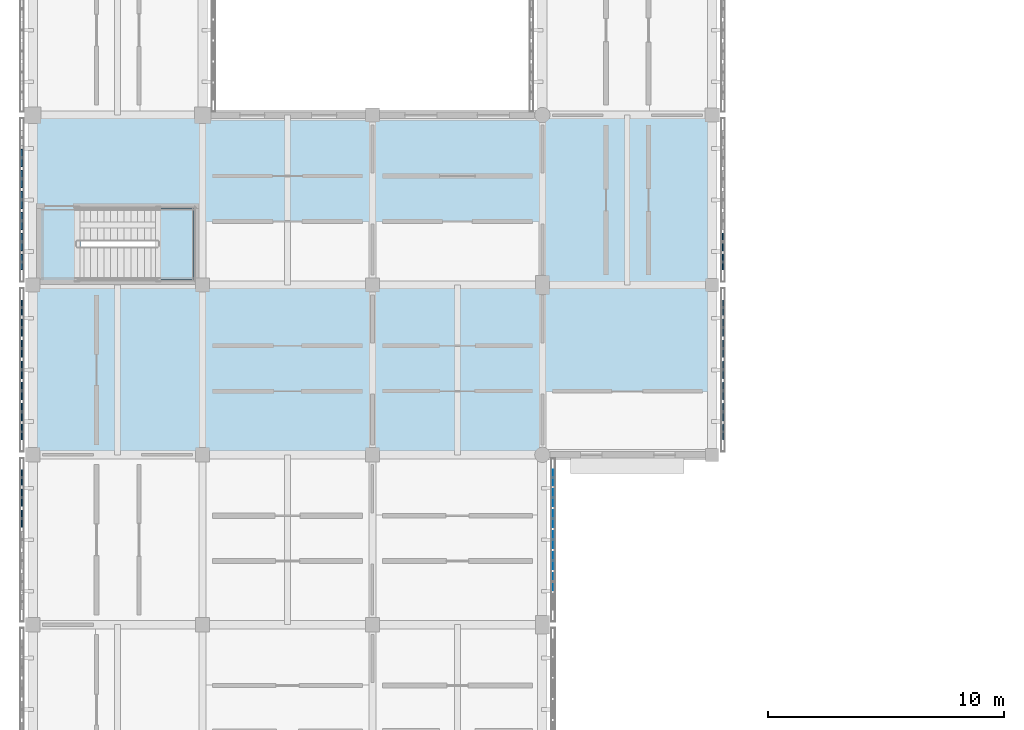
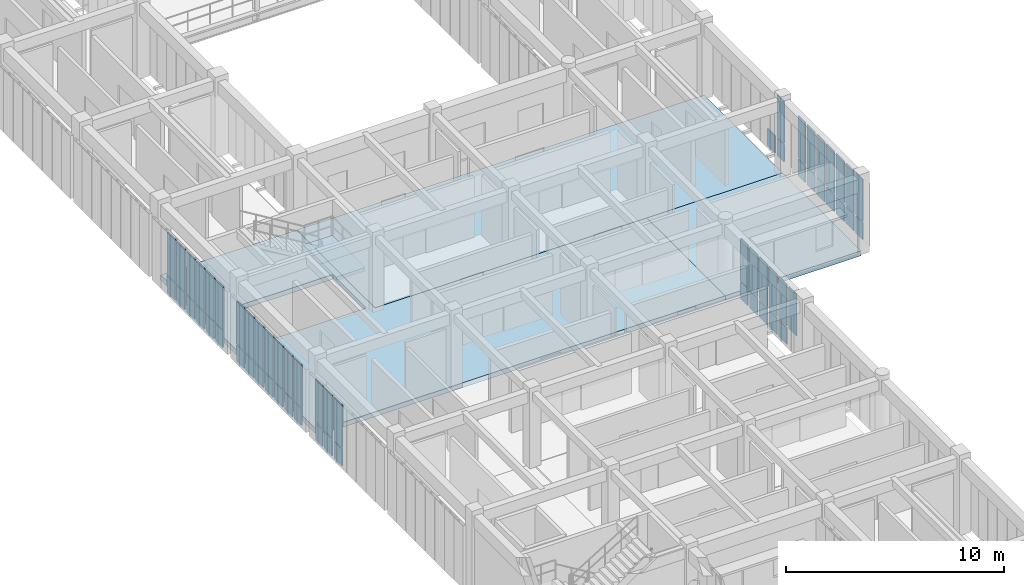
# One storey, part 96 of 171: 60 plates, 4 slabs, 7 elements without a shape of their own.
"""IFC4 building model written with IfcOpenShell, lengths in metres."""

import ifcopenshell
import ifcopenshell.guid

model = None  # the IFC model being written
_history = None  # IfcOwnerHistory: only IFC2X3 demands one
_inside = {}  # id of a spatial element -> (the spatial element, [elements in it])
_under = {}  # id of a project, library or spatial element -> (it, [spatial elements below it])
_declared = {}  # id of a project -> (the project, [libraries it declares])
_typed = {}  # id of a type object -> (the type object, [elements of that type])
_made_of = {}  # id of a material, layer set ... -> (it, [elements and type objects made of it])


def new_model(schema):
    """Start an empty IFC model of exactly this schema.

    Asked for "IFC4X3", IfcOpenShell would pick the latest addendum, in which some entities
    have other attributes; the version numbers below select the first issue.
    IFC2X3 requires an IfcOwnerHistory on every rooted entity: one is made here for all.
    """
    global model, _history
    if schema == "IFC4X3":
        model = ifcopenshell.file(schema_version=(4, 3, 0, 0))
    else:
        model = ifcopenshell.file(schema=schema)
    _inside.clear()
    _under.clear()
    _declared.clear()
    _typed.clear()
    _made_of.clear()
    _history = None
    if model.schema == "IFC2X3":
        org = make("IfcOrganization", Name="unknown")
        user = make(
            "IfcPersonAndOrganization",
            ThePerson=make("IfcPerson", FamilyName="unknown"),
            TheOrganization=org,
        )
        app = make(
            "IfcApplication",
            ApplicationDeveloper=org,
            Version="unknown",
            ApplicationFullName="unknown",
            ApplicationIdentifier="unknown",
        )
        _history = make(
            "IfcOwnerHistory",
            OwningUser=user,
            OwningApplication=app,
            ChangeAction="ADDED",
            CreationDate=0,
        )
    return model


def make(cls, **values):
    """One entity of the class cls with the attributes given. An attribute that is None is left unset."""
    return model.create_entity(
        cls, **{name: value for name, value in values.items() if value is not None}
    )


def rooted(cls, **values):
    """An entity with a GlobalId (a new one), such as an element, a storey or a relation."""
    return make(cls, GlobalId=ifcopenshell.guid.new(), OwnerHistory=_history, **values)


def si_unit(unit_type, name, prefix=None):
    """IfcSIUnit, for example si_unit("LENGTHUNIT", "METRE", prefix="MILLI")."""
    return make("IfcSIUnit", UnitType=unit_type, Prefix=prefix, Name=name)


def assignment(units):
    """IfcUnitAssignment: the units of a project."""
    return None if units is None else make("IfcUnitAssignment", Units=units)


def point(xyz):
    """IfcCartesianPoint."""
    return None if xyz is None else make("IfcCartesianPoint", Coordinates=xyz)


def direction(xyz):
    """IfcDirection."""
    return None if xyz is None else make("IfcDirection", DirectionRatios=xyz)


def frame(location, z_axis=None, x_axis=None):
    """IfcAxis2Placement3D, a coordinate frame: its origin and axes. An axis left out is left unset."""
    return make(
        "IfcAxis2Placement3D",
        Location=point(location),
        Axis=direction(z_axis),
        RefDirection=direction(x_axis),
    )


def frame_2d(location, x_axis=None):
    """IfcAxis2Placement2D, a coordinate frame in the plane: its origin and x axis."""
    return make(
        "IfcAxis2Placement2D", Location=point(location), RefDirection=direction(x_axis)
    )


def origin():
    """The frame at (0, 0, 0) with its axes left unset."""
    return frame((0.0, 0.0, 0.0))


def origin_2d():
    """The frame at (0, 0) in the plane with its x axis left unset."""
    return frame_2d((0.0, 0.0))


def place(relative_to, where):
    """IfcLocalPlacement: puts the frame where relative to a parent placement (None: the world)."""
    return make(
        "IfcLocalPlacement", PlacementRelTo=relative_to, RelativePlacement=where
    )


def context(
    kind, dimensions, precision=None, world=None, true_north=None, identifier=None
):
    """IfcGeometricRepresentationContext, for example the 3D "Model" context."""
    return make(
        "IfcGeometricRepresentationContext",
        ContextIdentifier=identifier,
        ContextType=kind,
        CoordinateSpaceDimension=dimensions,
        Precision=precision,
        WorldCoordinateSystem=world,
        TrueNorth=true_north,
    )


def subcontext(parent, identifier, kind, view, scale=None):
    """IfcGeometricRepresentationSubContext, for example "Body" below "Model"."""
    return make(
        "IfcGeometricRepresentationSubContext",
        ContextIdentifier=identifier,
        ContextType=kind,
        ParentContext=parent,
        TargetScale=scale,
        TargetView=view,
    )


def project(units=None, contexts=None):
    """IfcProject with its units and contexts."""
    return rooted(
        "IfcProject",
        Name="project",
        RepresentationContexts=contexts,
        UnitsInContext=assignment(units),
    )


def spatial(cls, under=None, at=None, **own):
    """A site, building, storey or space (cls), placed at a placement, below another one or the project."""
    s = rooted(cls, ObjectPlacement=at, **own)
    if under is not None:
        _under.setdefault(under.id(), (under, []))[1].append(s)
    return s


def polyline(points):
    """IfcPolyline through the points."""
    return make("IfcPolyline", Points=[point(p) for p in points])


def profile(cls, at=None, kind="AREA", **sizes):
    """A parametric profile (cls). Its sizes go by their IFC names, for example OverallWidth=200.0."""
    return make(cls, ProfileType=kind, Position=at, **sizes)


def rectangle(**sizes):
    """IfcRectangleProfileDef."""
    return profile("IfcRectangleProfileDef", **sizes)


def outline(outer, holes=None, kind="AREA"):
    """IfcArbitraryClosedProfileDef: a profile drawn as a closed curve; with holes, ...WithVoids."""
    if holes is None:
        return make("IfcArbitraryClosedProfileDef", ProfileType=kind, OuterCurve=outer)
    return make(
        "IfcArbitraryProfileDefWithVoids",
        ProfileType=kind,
        OuterCurve=outer,
        InnerCurves=holes,
    )


def extrude(swept, where, along, depth):
    """IfcExtrudedAreaSolid: the profile swept, set in the frame where, extruded along a direction by depth."""
    return make(
        "IfcExtrudedAreaSolid",
        SweptArea=swept,
        Position=where,
        ExtrudedDirection=direction(along),
        Depth=depth,
    )


def shape(context_of_items, identifier, shape_type, items):
    """IfcShapeRepresentation: the items that make up one representation, for example the "Body"."""
    return make(
        "IfcShapeRepresentation",
        ContextOfItems=context_of_items,
        RepresentationIdentifier=identifier,
        RepresentationType=shape_type,
        Items=items,
    )


def material(Name=None, Category=None):
    """IfcMaterial."""
    return make("IfcMaterial", Name=Name, Category=Category)


def layer(
    of_material, thickness, ventilated=None, Name=None, Category=None, Priority=None
):
    """IfcMaterialLayer: one layer of a wall or slab, of a material (None: an air gap)."""
    return make(
        "IfcMaterialLayer",
        Material=of_material,
        LayerThickness=thickness,
        IsVentilated=ventilated,
        Name=Name,
        Category=Category,
        Priority=Priority,
    )


def layer_set(layers, Name=None):
    """IfcMaterialLayerSet."""
    return make("IfcMaterialLayerSet", MaterialLayers=layers, LayerSetName=Name)


def made_of(thing, what):
    """Note that an element or type object is made of a material, layer set ...; save() writes the relation."""
    if what is not None:
        _made_of.setdefault(what.id(), (what, []))[1].append(thing)
    return thing


def type_object(cls, material=None, **own):
    """A type object (cls), such as IfcWallType, which elements share."""
    return made_of(rooted(cls, **own), material)


def element(
    cls,
    number,
    at=None,
    inside=None,
    cuts=None,
    type_object=None,
    material=None,
    context=None,
    identifier="Body",
    shape_type=None,
    held_by="IfcProductDefinitionShape",
    body=None,
    shapes=None,
    **own,
):
    """One element of the class cls, such as IfcWall. Its Tag is "e" and its number.

    at: its placement. inside: the storey or other place that contains it. cuts: it is an
    opening in that element (IfcRelVoidsElement). A single representation is given by context,
    identifier, shape_type and body (its items); several are given by shapes. held_by: the class
    of the entity that holds the representations. save() writes the other relations.
    """
    e = rooted(cls, Tag="e%d" % number, ObjectPlacement=at, **own)
    if body is not None:
        shapes = [shape(context, identifier, shape_type, body)]
    if shapes is not None:
        e.Representation = make(held_by, Representations=shapes)
    if inside is not None:
        _inside.setdefault(inside.id(), (inside, []))[1].append(e)
    if cuts is not None:
        rooted(
            "IfcRelVoidsElement", RelatingBuildingElement=cuts, RelatedOpeningElement=e
        )
    if type_object is not None:
        _typed.setdefault(type_object.id(), (type_object, []))[1].append(e)
    return made_of(e, material)


def aggregate(whole, parts):
    """IfcRelAggregates: a whole, such as a stair, and the parts it consists of."""
    return rooted("IfcRelAggregates", RelatingObject=whole, RelatedObjects=parts)


def save(model, path):
    """Write the relations noted so far, then the file.

    IfcRelAggregates (storeys below a building ...), IfcRelContainedInSpatialStructure (elements
    in a storey), IfcRelDefinesByType, IfcRelAssociatesMaterial and IfcRelDeclares: one each for
    every whole, place, type object, material and project.
    """
    for whole, parts in _under.values():
        aggregate(whole, parts)
    for where, things in _inside.values():
        rooted(
            "IfcRelContainedInSpatialStructure",
            RelatedElements=things,
            RelatingStructure=where,
        )
    for kind, things in _typed.values():
        rooted("IfcRelDefinesByType", RelatedObjects=things, RelatingType=kind)
    for what, things in _made_of.values():
        rooted("IfcRelAssociatesMaterial", RelatedObjects=things, RelatingMaterial=what)
    for by, libraries in _declared.values():
        rooted("IfcRelDeclares", RelatingContext=by, RelatedDefinitions=libraries)
    model.write(path)


model = new_model("IFC4")

# Units and contexts
model_context = context("Model", 3, precision=1e-05, world=origin(), true_north=direction((0.0, 1.0)))
body_context = subcontext(model_context, "Body", "Model", "MODEL_VIEW")
ifc_project = project(units=[si_unit("LENGTHUNIT", "METRE"), si_unit("AREAUNIT", "SQUARE_METRE"), si_unit("VOLUMEUNIT", "CUBIC_METRE"), si_unit("PLANEANGLEUNIT", "RADIAN"), si_unit("MASSUNIT", "GRAM", prefix="KILO")], contexts=[model_context])

# Site, building, storey
site_placement = place(None, origin())
site = spatial("IfcSite", under=ifc_project, at=site_placement, CompositionType="ELEMENT")
building_placement = place(site_placement, origin())
building = spatial("IfcBuilding", under=site, at=building_placement, Name="Aldebral Square Health Centre", CompositionType="ELEMENT")
storey_placement = place(building_placement, frame((0.0, 0.0, 4.5)))
storey = spatial("IfcBuildingStorey", under=building, at=storey_placement, Name="L01", CompositionType="ELEMENT", Elevation=4.5)

# Curtain wall, plates
ifc_material_1 = material(Name="Aluminium and low-E solar glass", Category="aluminium")
curtain_wall_type = type_object("IfcCurtainWallType", Name="CW-FIN-SYS", PredefinedType="USERDEFINED", material=ifc_material_1)
curtain_wall_1_placement = place(storey_placement, origin())
curtain_wall_1 = element("IfcCurtainWall", 1, at=curtain_wall_1_placement, inside=storey, type_object=curtain_wall_type, Name="L01 V6 finned curtain wall L01-V6-02-06-E", ObjectType="SOLAR_CURTAIN_WALL", PredefinedType="USERDEFINED")
ifc_material_2 = material(Name="Solar-control low-E double glass", Category="glass")
ifc_layer_1 = layer(ifc_material_2, 0.0400390625, Name="Solar-control low-E double glass", Category="glass")
ifc_layer_set_1 = layer_set([ifc_layer_1], Name="Solar-control low-E double glass")
plate_type_1 = type_object("IfcPlateType", Name="CWP-GLZ-3", PredefinedType="CURTAIN_PANEL", material=ifc_layer_set_1)
plate_1_placement = place(storey_placement, frame((22.06005859375, 45.01708984375, 1.087646484375), z_axis=(0.0, 0.0, 1.0), x_axis=(0.0, 1.0, 0.0)))
plate_1 = element("IfcPlate", 2, at=plate_1_placement, type_object=plate_type_1, Name="CW1 panel 2.2", PredefinedType="CURTAIN_PANEL", context=body_context, shape_type="SweptSolid", body=[
    extrude(rectangle(XDim=0.7314453125, YDim=0.0400390625, at=origin_2d()), origin(), (0.0, 0.0, 1.0), 2.357421875),
])
plate_2_placement = place(storey_placement, frame((22.06005859375, 45.90869140625, 0.074951171875), z_axis=(0.0, 0.0, 1.0), x_axis=(0.0, 1.0, 0.0)))
plate_2 = element("IfcPlate", 3, at=plate_2_placement, type_object=plate_type_1, Name="CW1 panel 3.1", PredefinedType="CURTAIN_PANEL", context=body_context, shape_type="SweptSolid", body=[
    extrude(rectangle(XDim=0.7314453125, YDim=0.0400390625, at=origin_2d()), origin(), (0.0, 0.0, 1.0), 0.9375),
])
plate_3_placement = place(storey_placement, frame((22.06005859375, 45.90869140625, 1.087646484375), z_axis=(0.0, 0.0, 1.0), x_axis=(0.0, 1.0, 0.0)))
plate_3 = element("IfcPlate", 4, at=plate_3_placement, type_object=plate_type_1, Name="CW1 panel 3.2", PredefinedType="CURTAIN_PANEL", context=body_context, shape_type="SweptSolid", body=[
    extrude(rectangle(XDim=0.7314453125, YDim=0.0400390625, at=origin_2d()), origin(), (0.0, 0.0, 1.0), 2.357421875),
])
plate_4_placement = place(storey_placement, frame((22.06005859375, 46.800048828125, 0.074951171875), z_axis=(0.0, 0.0, 1.0), x_axis=(0.0, 1.0, 0.0)))
plate_4 = element("IfcPlate", 5, at=plate_4_placement, type_object=plate_type_1, Name="CW1 panel 4.1", PredefinedType="CURTAIN_PANEL", context=body_context, shape_type="SweptSolid", body=[
    extrude(rectangle(XDim=0.7314453125, YDim=0.0400390625, at=origin_2d()), origin(), (0.0, 0.0, 1.0), 0.9375),
])
plate_5_placement = place(storey_placement, frame((22.06005859375, 46.800048828125, 1.087646484375), z_axis=(0.0, 0.0, 1.0), x_axis=(0.0, 1.0, 0.0)))
plate_5 = element("IfcPlate", 6, at=plate_5_placement, type_object=plate_type_1, Name="CW1 panel 4.2", PredefinedType="CURTAIN_PANEL", context=body_context, shape_type="SweptSolid", body=[
    extrude(rectangle(XDim=0.7314453125, YDim=0.0400390625, at=origin_2d()), origin(), (0.0, 0.0, 1.0), 2.357421875),
])
plate_6_placement = place(storey_placement, frame((22.06005859375, 47.69140625, 0.074951171875), z_axis=(0.0, 0.0, 1.0), x_axis=(0.0, 1.0, 0.0)))
plate_6 = element("IfcPlate", 7, at=plate_6_placement, type_object=plate_type_1, Name="CW1 panel 5.1", PredefinedType="CURTAIN_PANEL", context=body_context, shape_type="SweptSolid", body=[
    extrude(rectangle(XDim=0.7314453125, YDim=0.0400390625, at=origin_2d()), origin(), (0.0, 0.0, 1.0), 0.9375),
])
plate_7_placement = place(storey_placement, frame((22.06005859375, 47.69140625, 1.087646484375), z_axis=(0.0, 0.0, 1.0), x_axis=(0.0, 1.0, 0.0)))
plate_7 = element("IfcPlate", 8, at=plate_7_placement, type_object=plate_type_1, Name="CW1 panel 5.2", PredefinedType="CURTAIN_PANEL", context=body_context, shape_type="SweptSolid", body=[
    extrude(rectangle(XDim=0.7314453125, YDim=0.0400390625, at=origin_2d()), origin(), (0.0, 0.0, 1.0), 2.357421875),
])
plate_8_placement = place(storey_placement, frame((22.06005859375, 48.582763671875, 0.074951171875), z_axis=(0.0, 0.0, 1.0), x_axis=(0.0, 1.0, 0.0)))
plate_8 = element("IfcPlate", 9, at=plate_8_placement, type_object=plate_type_1, Name="CW1 panel 6.1", PredefinedType="CURTAIN_PANEL", context=body_context, shape_type="SweptSolid", body=[
    extrude(rectangle(XDim=0.7314453125, YDim=0.0400390625, at=origin_2d()), origin(), (0.0, 0.0, 1.0), 0.9375),
])
plate_9_placement = place(storey_placement, frame((22.06005859375, 48.582763671875, 1.087646484375), z_axis=(0.0, 0.0, 1.0), x_axis=(0.0, 1.0, 0.0)))
plate_9 = element("IfcPlate", 10, at=plate_9_placement, type_object=plate_type_1, Name="CW1 panel 6.2", PredefinedType="CURTAIN_PANEL", context=body_context, shape_type="SweptSolid", body=[
    extrude(rectangle(XDim=0.7314453125, YDim=0.0400390625, at=origin_2d()), origin(), (0.0, 0.0, 1.0), 2.357421875),
])
plate_10_placement = place(storey_placement, frame((22.06005859375, 49.434326171875, 0.074951171875), z_axis=(0.0, 0.0, 1.0), x_axis=(0.0, 1.0, 0.0)))
plate_10 = element("IfcPlate", 11, at=plate_10_placement, type_object=plate_type_1, Name="CW1 panel 7.1", PredefinedType="CURTAIN_PANEL", context=body_context, shape_type="SweptSolid", body=[
    extrude(rectangle(XDim=0.6513671875, YDim=0.0400390625, at=origin_2d()), origin(), (0.0, 0.0, 1.0), 0.9375),
])
plate_11_placement = place(storey_placement, frame((22.06005859375, 49.434326171875, 1.087646484375), z_axis=(0.0, 0.0, 1.0), x_axis=(0.0, 1.0, 0.0)))
plate_11 = element("IfcPlate", 12, at=plate_11_placement, type_object=plate_type_1, Name="CW1 panel 7.2", PredefinedType="CURTAIN_PANEL", context=body_context, shape_type="SweptSolid", body=[
    extrude(rectangle(XDim=0.6513671875, YDim=0.0400390625, at=origin_2d()), origin(), (0.0, 0.0, 1.0), 2.357421875),
])
aggregate(curtain_wall_1, [plate_1, plate_2, plate_3, plate_4, plate_5, plate_6, plate_7, plate_8, plate_9, plate_10, plate_11])

curtain_wall_2_placement = place(storey_placement, origin())
curtain_wall_2 = element("IfcCurtainWall", 13, at=curtain_wall_2_placement, inside=storey, type_object=curtain_wall_type, Name="L01 V4 finned curtain wall L01-V4-03-07-E", ObjectType="SOLAR_CURTAIN_WALL", PredefinedType="USERDEFINED")
ifc_layer_2 = layer(ifc_material_2, 0.050048828125, Name="Solar-control low-E double glass", Category="glass")
ifc_layer_set_2 = layer_set([ifc_layer_2], Name="Solar-control low-E double glass")
plate_type_2 = type_object("IfcPlateType", Name="CWP-GLZ-4", PredefinedType="CURTAIN_PANEL", material=ifc_layer_set_2)
plate_12_placement = place(storey_placement, frame((29.260009765625, 51.36572265625, 0.074951171875), z_axis=(0.0, 0.0, 1.0), x_axis=(0.0, 1.0, 0.0)))
plate_12 = element("IfcPlate", 14, at=plate_12_placement, type_object=plate_type_2, Name="CW1 panel 1.1", PredefinedType="CURTAIN_PANEL", context=body_context, shape_type="SweptSolid", body=[
    extrude(rectangle(XDim=0.6513671875, YDim=0.050048828125, at=origin_2d()), origin(), (0.0, 0.0, 1.0), 0.9375),
])
plate_13_placement = place(storey_placement, frame((29.260009765625, 51.36572265625, 1.087646484375), z_axis=(0.0, 0.0, 1.0), x_axis=(0.0, 1.0, 0.0)))
plate_13 = element("IfcPlate", 15, at=plate_13_placement, type_object=plate_type_2, Name="CW1 panel 1.2", PredefinedType="CURTAIN_PANEL", context=body_context, shape_type="SweptSolid", body=[
    extrude(rectangle(XDim=0.6513671875, YDim=0.050048828125, at=origin_2d()), origin(), (0.0, 0.0, 1.0), 2.357421875),
])
plate_14_placement = place(storey_placement, frame((29.260009765625, 52.217041015625, 0.074951171875), z_axis=(0.0, 0.0, 1.0), x_axis=(0.0, 1.0, 0.0)))
plate_14 = element("IfcPlate", 16, at=plate_14_placement, type_object=plate_type_2, Name="CW1 panel 2.1", PredefinedType="CURTAIN_PANEL", context=body_context, shape_type="SweptSolid", body=[
    extrude(rectangle(XDim=0.7314453125, YDim=0.050048828125, at=origin_2d()), origin(), (0.0, 0.0, 1.0), 0.9375),
])
plate_15_placement = place(storey_placement, frame((29.260009765625, 52.217041015625, 1.087646484375), z_axis=(0.0, 0.0, 1.0), x_axis=(0.0, 1.0, 0.0)))
plate_15 = element("IfcPlate", 17, at=plate_15_placement, type_object=plate_type_2, Name="CW1 panel 2.2", PredefinedType="CURTAIN_PANEL", context=body_context, shape_type="SweptSolid", body=[
    extrude(rectangle(XDim=0.7314453125, YDim=0.050048828125, at=origin_2d()), origin(), (0.0, 0.0, 1.0), 2.357421875),
])
plate_16_placement = place(storey_placement, frame((29.260009765625, 53.108642578125, 0.074951171875), z_axis=(0.0, 0.0, 1.0), x_axis=(0.0, 1.0, 0.0)))
plate_16 = element("IfcPlate", 18, at=plate_16_placement, type_object=plate_type_2, Name="CW1 panel 3.1", PredefinedType="CURTAIN_PANEL", context=body_context, shape_type="SweptSolid", body=[
    extrude(rectangle(XDim=0.7314453125, YDim=0.050048828125, at=origin_2d()), origin(), (0.0, 0.0, 1.0), 0.9375),
])
plate_17_placement = place(storey_placement, frame((29.260009765625, 53.108642578125, 1.087646484375), z_axis=(0.0, 0.0, 1.0), x_axis=(0.0, 1.0, 0.0)))
plate_17 = element("IfcPlate", 19, at=plate_17_placement, type_object=plate_type_2, Name="CW1 panel 3.2", PredefinedType="CURTAIN_PANEL", context=body_context, shape_type="SweptSolid", body=[
    extrude(rectangle(XDim=0.7314453125, YDim=0.050048828125, at=origin_2d()), origin(), (0.0, 0.0, 1.0), 2.357421875),
])
plate_18_placement = place(storey_placement, frame((29.260009765625, 54.0, 0.074951171875), z_axis=(0.0, 0.0, 1.0), x_axis=(0.0, 1.0, 0.0)))
plate_18 = element("IfcPlate", 20, at=plate_18_placement, type_object=plate_type_2, Name="CW1 panel 4.1", PredefinedType="CURTAIN_PANEL", context=body_context, shape_type="SweptSolid", body=[
    extrude(rectangle(XDim=0.7314453125, YDim=0.050048828125, at=origin_2d()), origin(), (0.0, 0.0, 1.0), 0.9375),
])
plate_19_placement = place(storey_placement, frame((29.260009765625, 54.0, 1.087646484375), z_axis=(0.0, 0.0, 1.0), x_axis=(0.0, 1.0, 0.0)))
plate_19 = element("IfcPlate", 21, at=plate_19_placement, type_object=plate_type_2, Name="CW1 panel 4.2", PredefinedType="CURTAIN_PANEL", context=body_context, shape_type="SweptSolid", body=[
    extrude(rectangle(XDim=0.7314453125, YDim=0.050048828125, at=origin_2d()), origin(), (0.0, 0.0, 1.0), 2.357421875),
])
plate_20_placement = place(storey_placement, frame((29.260009765625, 54.891357421875, 0.074951171875), z_axis=(0.0, 0.0, 1.0), x_axis=(0.0, 1.0, 0.0)))
plate_20 = element("IfcPlate", 22, at=plate_20_placement, type_object=plate_type_2, Name="CW1 panel 5.1", PredefinedType="CURTAIN_PANEL", context=body_context, shape_type="SweptSolid", body=[
    extrude(rectangle(XDim=0.7314453125, YDim=0.050048828125, at=origin_2d()), origin(), (0.0, 0.0, 1.0), 0.9375),
])
plate_21_placement = place(storey_placement, frame((29.260009765625, 54.891357421875, 1.087646484375), z_axis=(0.0, 0.0, 1.0), x_axis=(0.0, 1.0, 0.0)))
plate_21 = element("IfcPlate", 23, at=plate_21_placement, type_object=plate_type_2, Name="CW1 panel 5.2", PredefinedType="CURTAIN_PANEL", context=body_context, shape_type="SweptSolid", body=[
    extrude(rectangle(XDim=0.7314453125, YDim=0.050048828125, at=origin_2d()), origin(), (0.0, 0.0, 1.0), 2.357421875),
])
plate_22_placement = place(storey_placement, frame((29.260009765625, 55.782958984375, 0.074951171875), z_axis=(0.0, 0.0, 1.0), x_axis=(0.0, 1.0, 0.0)))
plate_22 = element("IfcPlate", 24, at=plate_22_placement, type_object=plate_type_2, Name="CW1 panel 6.1", PredefinedType="CURTAIN_PANEL", context=body_context, shape_type="SweptSolid", body=[
    extrude(rectangle(XDim=0.7314453125, YDim=0.050048828125, at=origin_2d()), origin(), (0.0, 0.0, 1.0), 0.9375),
])
plate_23_placement = place(storey_placement, frame((29.260009765625, 55.782958984375, 1.087646484375), z_axis=(0.0, 0.0, 1.0), x_axis=(0.0, 1.0, 0.0)))
plate_23 = element("IfcPlate", 25, at=plate_23_placement, type_object=plate_type_2, Name="CW1 panel 6.2", PredefinedType="CURTAIN_PANEL", context=body_context, shape_type="SweptSolid", body=[
    extrude(rectangle(XDim=0.7314453125, YDim=0.050048828125, at=origin_2d()), origin(), (0.0, 0.0, 1.0), 2.357421875),
])
plate_24_placement = place(storey_placement, frame((29.260009765625, 56.63427734375, 0.074951171875), z_axis=(0.0, 0.0, 1.0), x_axis=(0.0, 1.0, 0.0)))
plate_24 = element("IfcPlate", 26, at=plate_24_placement, type_object=plate_type_2, Name="CW1 panel 7.1", PredefinedType="CURTAIN_PANEL", context=body_context, shape_type="SweptSolid", body=[
    extrude(rectangle(XDim=0.6513671875, YDim=0.050048828125, at=origin_2d()), origin(), (0.0, 0.0, 1.0), 0.9375),
])
plate_25_placement = place(storey_placement, frame((29.260009765625, 56.63427734375, 1.087646484375), z_axis=(0.0, 0.0, 1.0), x_axis=(0.0, 1.0, 0.0)))
plate_25 = element("IfcPlate", 27, at=plate_25_placement, type_object=plate_type_2, Name="CW1 panel 7.2", PredefinedType="CURTAIN_PANEL", context=body_context, shape_type="SweptSolid", body=[
    extrude(rectangle(XDim=0.6513671875, YDim=0.050048828125, at=origin_2d()), origin(), (0.0, 0.0, 1.0), 2.357421875),
])
aggregate(curtain_wall_2, [plate_12, plate_13, plate_14, plate_15, plate_16, plate_17, plate_18, plate_19, plate_20, plate_21, plate_22, plate_23, plate_24, plate_25])

curtain_wall_3_placement = place(storey_placement, origin())
curtain_wall_3 = element("IfcCurtainWall", 28, at=curtain_wall_3_placement, inside=storey, type_object=curtain_wall_type, Name="L01 V6 finned curtain wall L01-V6-00-06-W", ObjectType="SOLAR_CURTAIN_WALL", PredefinedType="USERDEFINED")
ifc_layer_3 = layer(ifc_material_2, 0.06005859375, Name="Solar-control low-E double glass", Category="glass")
ifc_layer_set_3 = layer_set([ifc_layer_3], Name="Solar-control low-E double glass")
plate_type_3 = type_object("IfcPlateType", Name="CWP-GLZ-5", PredefinedType="CURTAIN_PANEL", material=ifc_layer_set_3)
plate_26_placement = place(storey_placement, frame((-0.4599609375, 49.434326171875, 0.074951171875), z_axis=(0.0, 0.0, 1.0), x_axis=(0.0, -1.0, 0.0)))
plate_26 = element("IfcPlate", 29, at=plate_26_placement, type_object=plate_type_3, Name="CW1 panel 1.1", PredefinedType="CURTAIN_PANEL", context=body_context, shape_type="SweptSolid", body=[
    extrude(rectangle(XDim=0.6513671875, YDim=0.06005859375, at=origin_2d()), origin(), (0.0, 0.0, 1.0), 0.9375),
])
plate_27_placement = place(storey_placement, frame((-0.4599609375, 49.434326171875, 1.087646484375), z_axis=(0.0, 0.0, 1.0), x_axis=(0.0, -1.0, 0.0)))
plate_27 = element("IfcPlate", 30, at=plate_27_placement, type_object=plate_type_3, Name="CW1 panel 1.2", PredefinedType="CURTAIN_PANEL", context=body_context, shape_type="SweptSolid", body=[
    extrude(rectangle(XDim=0.6513671875, YDim=0.06005859375, at=origin_2d()), origin(), (0.0, 0.0, 1.0), 2.357421875),
])
plate_28_placement = place(storey_placement, frame((-0.4599609375, 48.582763671875, 0.074951171875), z_axis=(0.0, 0.0, 1.0), x_axis=(0.0, -1.0, 0.0)))
plate_28 = element("IfcPlate", 31, at=plate_28_placement, type_object=plate_type_3, Name="CW1 panel 2.1", PredefinedType="CURTAIN_PANEL", context=body_context, shape_type="SweptSolid", body=[
    extrude(rectangle(XDim=0.7314453125, YDim=0.06005859375, at=origin_2d()), origin(), (0.0, 0.0, 1.0), 0.9375),
])
plate_29_placement = place(storey_placement, frame((-0.4599609375, 48.582763671875, 1.087646484375), z_axis=(0.0, 0.0, 1.0), x_axis=(0.0, -1.0, 0.0)))
plate_29 = element("IfcPlate", 32, at=plate_29_placement, type_object=plate_type_3, Name="CW1 panel 2.2", PredefinedType="CURTAIN_PANEL", context=body_context, shape_type="SweptSolid", body=[
    extrude(rectangle(XDim=0.7314453125, YDim=0.06005859375, at=origin_2d()), origin(), (0.0, 0.0, 1.0), 2.357421875),
])
plate_30_placement = place(storey_placement, frame((-0.4599609375, 47.69140625, 0.074951171875), z_axis=(0.0, 0.0, 1.0), x_axis=(0.0, -1.0, 0.0)))
plate_30 = element("IfcPlate", 33, at=plate_30_placement, type_object=plate_type_3, Name="CW1 panel 3.1", PredefinedType="CURTAIN_PANEL", context=body_context, shape_type="SweptSolid", body=[
    extrude(rectangle(XDim=0.7314453125, YDim=0.06005859375, at=origin_2d()), origin(), (0.0, 0.0, 1.0), 0.9375),
])
plate_31_placement = place(storey_placement, frame((-0.4599609375, 47.69140625, 1.087646484375), z_axis=(0.0, 0.0, 1.0), x_axis=(0.0, -1.0, 0.0)))
plate_31 = element("IfcPlate", 34, at=plate_31_placement, type_object=plate_type_3, Name="CW1 panel 3.2", PredefinedType="CURTAIN_PANEL", context=body_context, shape_type="SweptSolid", body=[
    extrude(rectangle(XDim=0.7314453125, YDim=0.06005859375, at=origin_2d()), origin(), (0.0, 0.0, 1.0), 2.357421875),
])
aggregate(curtain_wall_3, [plate_26, plate_27, plate_28, plate_29, plate_30, plate_31])

curtain_wall_4_placement = place(storey_placement, origin())
curtain_wall_4 = element("IfcCurtainWall", 35, at=curtain_wall_4_placement, inside=storey, type_object=curtain_wall_type, Name="L01 V4 finned curtain wall L01-V4-03-08-E", ObjectType="SOLAR_CURTAIN_WALL", PredefinedType="USERDEFINED")
plate_32_placement = place(storey_placement, frame((29.260009765625, 58.565673828125, 0.074951171875), z_axis=(0.0, 0.0, 1.0), x_axis=(0.0, 1.0, 0.0)))
plate_32 = element("IfcPlate", 36, at=plate_32_placement, type_object=plate_type_3, Name="CW1 panel 1.1", PredefinedType="CURTAIN_PANEL", context=body_context, shape_type="SweptSolid", body=[
    extrude(rectangle(XDim=0.6513671875, YDim=0.06005859375, at=origin_2d()), origin(), (0.0, 0.0, 1.0), 0.9375),
])
plate_33_placement = place(storey_placement, frame((29.260009765625, 58.565673828125, 1.087646484375), z_axis=(0.0, 0.0, 1.0), x_axis=(0.0, 1.0, 0.0)))
plate_33 = element("IfcPlate", 37, at=plate_33_placement, type_object=plate_type_3, Name="CW1 panel 1.2", PredefinedType="CURTAIN_PANEL", context=body_context, shape_type="SweptSolid", body=[
    extrude(rectangle(XDim=0.6513671875, YDim=0.06005859375, at=origin_2d()), origin(), (0.0, 0.0, 1.0), 2.357421875),
])
plate_34_placement = place(storey_placement, frame((29.260009765625, 59.417236328125, 0.074951171875), z_axis=(0.0, 0.0, 1.0), x_axis=(0.0, 1.0, 0.0)))
plate_34 = element("IfcPlate", 38, at=plate_34_placement, type_object=plate_type_3, Name="CW1 panel 2.1", PredefinedType="CURTAIN_PANEL", context=body_context, shape_type="SweptSolid", body=[
    extrude(rectangle(XDim=0.7314453125, YDim=0.06005859375, at=origin_2d()), origin(), (0.0, 0.0, 1.0), 0.9375),
])
aggregate(curtain_wall_4, [plate_32, plate_33, plate_34])

curtain_wall_5_placement = place(storey_placement, origin())
curtain_wall_5 = element("IfcCurtainWall", 39, at=curtain_wall_5_placement, inside=storey, type_object=curtain_wall_type, Name="L01 V4 finned curtain wall L01-V4-00-07-W", ObjectType="SOLAR_CURTAIN_WALL", PredefinedType="USERDEFINED")
ifc_layer_4 = layer(ifc_material_2, 0.070068359375, Name="Solar-control low-E double glass", Category="glass")
ifc_layer_set_4 = layer_set([ifc_layer_4], Name="Solar-control low-E double glass")
plate_type_4 = type_object("IfcPlateType", Name="CWP-GLZ-6", PredefinedType="CURTAIN_PANEL", material=ifc_layer_set_4)
plate_35_placement = place(storey_placement, frame((-0.4599609375, 56.63427734375, 0.074951171875), z_axis=(0.0, 0.0, 1.0), x_axis=(0.0, -1.0, 0.0)))
plate_35 = element("IfcPlate", 40, at=plate_35_placement, type_object=plate_type_4, Name="CW1 panel 1.1", PredefinedType="CURTAIN_PANEL", context=body_context, shape_type="SweptSolid", body=[
    extrude(rectangle(XDim=0.6513671875, YDim=0.070068359375, at=origin_2d()), origin(), (0.0, 0.0, 1.0), 0.9375),
])
plate_36_placement = place(storey_placement, frame((-0.4599609375, 56.63427734375, 1.087646484375), z_axis=(0.0, 0.0, 1.0), x_axis=(0.0, -1.0, 0.0)))
plate_36 = element("IfcPlate", 41, at=plate_36_placement, type_object=plate_type_4, Name="CW1 panel 1.2", PredefinedType="CURTAIN_PANEL", context=body_context, shape_type="SweptSolid", body=[
    extrude(rectangle(XDim=0.6513671875, YDim=0.070068359375, at=origin_2d()), origin(), (0.0, 0.0, 1.0), 2.357421875),
])
plate_37_placement = place(storey_placement, frame((-0.4599609375, 55.782958984375, 0.074951171875), z_axis=(0.0, 0.0, 1.0), x_axis=(0.0, -1.0, 0.0)))
plate_37 = element("IfcPlate", 42, at=plate_37_placement, type_object=plate_type_4, Name="CW1 panel 2.1", PredefinedType="CURTAIN_PANEL", context=body_context, shape_type="SweptSolid", body=[
    extrude(rectangle(XDim=0.7314453125, YDim=0.070068359375, at=origin_2d()), origin(), (0.0, 0.0, 1.0), 0.9375),
])
plate_38_placement = place(storey_placement, frame((-0.4599609375, 55.782958984375, 1.087646484375), z_axis=(0.0, 0.0, 1.0), x_axis=(0.0, -1.0, 0.0)))
plate_38 = element("IfcPlate", 43, at=plate_38_placement, type_object=plate_type_4, Name="CW1 panel 2.2", PredefinedType="CURTAIN_PANEL", context=body_context, shape_type="SweptSolid", body=[
    extrude(rectangle(XDim=0.7314453125, YDim=0.070068359375, at=origin_2d()), origin(), (0.0, 0.0, 1.0), 2.357421875),
])
plate_39_placement = place(storey_placement, frame((-0.4599609375, 54.891357421875, 0.074951171875), z_axis=(0.0, 0.0, 1.0), x_axis=(0.0, -1.0, 0.0)))
plate_39 = element("IfcPlate", 44, at=plate_39_placement, type_object=plate_type_4, Name="CW1 panel 3.1", PredefinedType="CURTAIN_PANEL", context=body_context, shape_type="SweptSolid", body=[
    extrude(rectangle(XDim=0.7314453125, YDim=0.070068359375, at=origin_2d()), origin(), (0.0, 0.0, 1.0), 0.9375),
])
plate_40_placement = place(storey_placement, frame((-0.4599609375, 54.891357421875, 1.087646484375), z_axis=(0.0, 0.0, 1.0), x_axis=(0.0, -1.0, 0.0)))
plate_40 = element("IfcPlate", 45, at=plate_40_placement, type_object=plate_type_4, Name="CW1 panel 3.2", PredefinedType="CURTAIN_PANEL", context=body_context, shape_type="SweptSolid", body=[
    extrude(rectangle(XDim=0.7314453125, YDim=0.070068359375, at=origin_2d()), origin(), (0.0, 0.0, 1.0), 2.357421875),
])
plate_41_placement = place(storey_placement, frame((-0.4599609375, 54.0, 0.074951171875), z_axis=(0.0, 0.0, 1.0), x_axis=(0.0, -1.0, 0.0)))
plate_41 = element("IfcPlate", 46, at=plate_41_placement, type_object=plate_type_4, Name="CW1 panel 4.1", PredefinedType="CURTAIN_PANEL", context=body_context, shape_type="SweptSolid", body=[
    extrude(rectangle(XDim=0.7314453125, YDim=0.070068359375, at=origin_2d()), origin(), (0.0, 0.0, 1.0), 0.9375),
])
plate_42_placement = place(storey_placement, frame((-0.4599609375, 54.0, 1.087646484375), z_axis=(0.0, 0.0, 1.0), x_axis=(0.0, -1.0, 0.0)))
plate_42 = element("IfcPlate", 47, at=plate_42_placement, type_object=plate_type_4, Name="CW1 panel 4.2", PredefinedType="CURTAIN_PANEL", context=body_context, shape_type="SweptSolid", body=[
    extrude(rectangle(XDim=0.7314453125, YDim=0.070068359375, at=origin_2d()), origin(), (0.0, 0.0, 1.0), 2.357421875),
])
plate_43_placement = place(storey_placement, frame((-0.4599609375, 53.108642578125, 0.074951171875), z_axis=(0.0, 0.0, 1.0), x_axis=(0.0, -1.0, 0.0)))
plate_43 = element("IfcPlate", 48, at=plate_43_placement, type_object=plate_type_4, Name="CW1 panel 5.1", PredefinedType="CURTAIN_PANEL", context=body_context, shape_type="SweptSolid", body=[
    extrude(rectangle(XDim=0.7314453125, YDim=0.070068359375, at=origin_2d()), origin(), (0.0, 0.0, 1.0), 0.9375),
])
plate_44_placement = place(storey_placement, frame((-0.4599609375, 53.108642578125, 1.087646484375), z_axis=(0.0, 0.0, 1.0), x_axis=(0.0, -1.0, 0.0)))
plate_44 = element("IfcPlate", 49, at=plate_44_placement, type_object=plate_type_4, Name="CW1 panel 5.2", PredefinedType="CURTAIN_PANEL", context=body_context, shape_type="SweptSolid", body=[
    extrude(rectangle(XDim=0.7314453125, YDim=0.070068359375, at=origin_2d()), origin(), (0.0, 0.0, 1.0), 2.357421875),
])
plate_45_placement = place(storey_placement, frame((-0.4599609375, 52.217041015625, 0.074951171875), z_axis=(0.0, 0.0, 1.0), x_axis=(0.0, -1.0, 0.0)))
plate_45 = element("IfcPlate", 50, at=plate_45_placement, type_object=plate_type_4, Name="CW1 panel 6.1", PredefinedType="CURTAIN_PANEL", context=body_context, shape_type="SweptSolid", body=[
    extrude(rectangle(XDim=0.7314453125, YDim=0.070068359375, at=origin_2d()), origin(), (0.0, 0.0, 1.0), 0.9375),
])
plate_46_placement = place(storey_placement, frame((-0.4599609375, 52.217041015625, 1.087646484375), z_axis=(0.0, 0.0, 1.0), x_axis=(0.0, -1.0, 0.0)))
plate_46 = element("IfcPlate", 51, at=plate_46_placement, type_object=plate_type_4, Name="CW1 panel 6.2", PredefinedType="CURTAIN_PANEL", context=body_context, shape_type="SweptSolid", body=[
    extrude(rectangle(XDim=0.7314453125, YDim=0.070068359375, at=origin_2d()), origin(), (0.0, 0.0, 1.0), 2.357421875),
])
plate_47_placement = place(storey_placement, frame((-0.4599609375, 51.36572265625, 0.074951171875), z_axis=(0.0, 0.0, 1.0), x_axis=(0.0, -1.0, 0.0)))
plate_47 = element("IfcPlate", 52, at=plate_47_placement, type_object=plate_type_4, Name="CW1 panel 7.1", PredefinedType="CURTAIN_PANEL", context=body_context, shape_type="SweptSolid", body=[
    extrude(rectangle(XDim=0.6513671875, YDim=0.070068359375, at=origin_2d()), origin(), (0.0, 0.0, 1.0), 0.9375),
])
plate_48_placement = place(storey_placement, frame((-0.4599609375, 51.36572265625, 1.087646484375), z_axis=(0.0, 0.0, 1.0), x_axis=(0.0, -1.0, 0.0)))
plate_48 = element("IfcPlate", 53, at=plate_48_placement, type_object=plate_type_4, Name="CW1 panel 7.2", PredefinedType="CURTAIN_PANEL", context=body_context, shape_type="SweptSolid", body=[
    extrude(rectangle(XDim=0.6513671875, YDim=0.070068359375, at=origin_2d()), origin(), (0.0, 0.0, 1.0), 2.357421875),
])
aggregate(curtain_wall_5, [plate_35, plate_36, plate_37, plate_38, plate_39, plate_40, plate_41, plate_42, plate_43, plate_44, plate_45, plate_46, plate_47, plate_48])

curtain_wall_6_placement = place(storey_placement, origin())
curtain_wall_6 = element("IfcCurtainWall", 54, at=curtain_wall_6_placement, inside=storey, type_object=curtain_wall_type, Name="L01 V4 finned curtain wall L01-V4-00-08-W", ObjectType="SOLAR_CURTAIN_WALL", PredefinedType="USERDEFINED")
ifc_layer_5 = layer(ifc_material_2, 0.080078125, Name="Solar-control low-E double glass", Category="glass")
ifc_layer_set_5 = layer_set([ifc_layer_5], Name="Solar-control low-E double glass")
plate_type_5 = type_object("IfcPlateType", Name="CWP-GLZ-7", PredefinedType="CURTAIN_PANEL", material=ifc_layer_set_5)
plate_49_placement = place(storey_placement, frame((-0.4599609375, 62.98291015625, 0.074951171875), z_axis=(0.0, 0.0, 1.0), x_axis=(0.0, -1.0, 0.0)))
plate_49 = element("IfcPlate", 55, at=plate_49_placement, type_object=plate_type_5, Name="CW1 panel 2.1", PredefinedType="CURTAIN_PANEL", context=body_context, shape_type="SweptSolid", body=[
    extrude(rectangle(XDim=0.7314453125, YDim=0.080078125, at=origin_2d()), origin(), (0.0, 0.0, 1.0), 0.9375),
])
plate_50_placement = place(storey_placement, frame((-0.4599609375, 62.98291015625, 1.087646484375), z_axis=(0.0, 0.0, 1.0), x_axis=(0.0, -1.0, 0.0)))
plate_50 = element("IfcPlate", 56, at=plate_50_placement, type_object=plate_type_5, Name="CW1 panel 2.2", PredefinedType="CURTAIN_PANEL", context=body_context, shape_type="SweptSolid", body=[
    extrude(rectangle(XDim=0.7314453125, YDim=0.080078125, at=origin_2d()), origin(), (0.0, 0.0, 1.0), 2.357421875),
])
plate_51_placement = place(storey_placement, frame((-0.4599609375, 62.09130859375, 0.074951171875), z_axis=(0.0, 0.0, 1.0), x_axis=(0.0, -1.0, 0.0)))
plate_51 = element("IfcPlate", 57, at=plate_51_placement, type_object=plate_type_5, Name="CW1 panel 3.1", PredefinedType="CURTAIN_PANEL", context=body_context, shape_type="SweptSolid", body=[
    extrude(rectangle(XDim=0.7314453125, YDim=0.080078125, at=origin_2d()), origin(), (0.0, 0.0, 1.0), 0.9375),
])
plate_52_placement = place(storey_placement, frame((-0.4599609375, 62.09130859375, 1.087646484375), z_axis=(0.0, 0.0, 1.0), x_axis=(0.0, -1.0, 0.0)))
plate_52 = element("IfcPlate", 58, at=plate_52_placement, type_object=plate_type_5, Name="CW1 panel 3.2", PredefinedType="CURTAIN_PANEL", context=body_context, shape_type="SweptSolid", body=[
    extrude(rectangle(XDim=0.7314453125, YDim=0.080078125, at=origin_2d()), origin(), (0.0, 0.0, 1.0), 2.357421875),
])
plate_53_placement = place(storey_placement, frame((-0.4599609375, 61.199951171875, 0.074951171875), z_axis=(0.0, 0.0, 1.0), x_axis=(0.0, -1.0, 0.0)))
plate_53 = element("IfcPlate", 59, at=plate_53_placement, type_object=plate_type_5, Name="CW1 panel 4.1", PredefinedType="CURTAIN_PANEL", context=body_context, shape_type="SweptSolid", body=[
    extrude(rectangle(XDim=0.7314453125, YDim=0.080078125, at=origin_2d()), origin(), (0.0, 0.0, 1.0), 0.9375),
])
plate_54_placement = place(storey_placement, frame((-0.4599609375, 61.199951171875, 1.087646484375), z_axis=(0.0, 0.0, 1.0), x_axis=(0.0, -1.0, 0.0)))
plate_54 = element("IfcPlate", 60, at=plate_54_placement, type_object=plate_type_5, Name="CW1 panel 4.2", PredefinedType="CURTAIN_PANEL", context=body_context, shape_type="SweptSolid", body=[
    extrude(rectangle(XDim=0.7314453125, YDim=0.080078125, at=origin_2d()), origin(), (0.0, 0.0, 1.0), 2.357421875),
])
plate_55_placement = place(storey_placement, frame((-0.4599609375, 60.30859375, 0.074951171875), z_axis=(0.0, 0.0, 1.0), x_axis=(0.0, -1.0, 0.0)))
plate_55 = element("IfcPlate", 61, at=plate_55_placement, type_object=plate_type_5, Name="CW1 panel 5.1", PredefinedType="CURTAIN_PANEL", context=body_context, shape_type="SweptSolid", body=[
    extrude(rectangle(XDim=0.7314453125, YDim=0.080078125, at=origin_2d()), origin(), (0.0, 0.0, 1.0), 0.9375),
])
plate_56_placement = place(storey_placement, frame((-0.4599609375, 60.30859375, 1.087646484375), z_axis=(0.0, 0.0, 1.0), x_axis=(0.0, -1.0, 0.0)))
plate_56 = element("IfcPlate", 62, at=plate_56_placement, type_object=plate_type_5, Name="CW1 panel 5.2", PredefinedType="CURTAIN_PANEL", context=body_context, shape_type="SweptSolid", body=[
    extrude(rectangle(XDim=0.7314453125, YDim=0.080078125, at=origin_2d()), origin(), (0.0, 0.0, 1.0), 2.357421875),
])
plate_57_placement = place(storey_placement, frame((-0.4599609375, 59.417236328125, 0.074951171875), z_axis=(0.0, 0.0, 1.0), x_axis=(0.0, -1.0, 0.0)))
plate_57 = element("IfcPlate", 63, at=plate_57_placement, type_object=plate_type_5, Name="CW1 panel 6.1", PredefinedType="CURTAIN_PANEL", context=body_context, shape_type="SweptSolid", body=[
    extrude(rectangle(XDim=0.7314453125, YDim=0.080078125, at=origin_2d()), origin(), (0.0, 0.0, 1.0), 0.9375),
])
plate_58_placement = place(storey_placement, frame((-0.4599609375, 59.417236328125, 1.087646484375), z_axis=(0.0, 0.0, 1.0), x_axis=(0.0, -1.0, 0.0)))
plate_58 = element("IfcPlate", 64, at=plate_58_placement, type_object=plate_type_5, Name="CW1 panel 6.2", PredefinedType="CURTAIN_PANEL", context=body_context, shape_type="SweptSolid", body=[
    extrude(rectangle(XDim=0.7314453125, YDim=0.080078125, at=origin_2d()), origin(), (0.0, 0.0, 1.0), 2.357421875),
])
plate_59_placement = place(storey_placement, frame((-0.4599609375, 58.565673828125, 0.074951171875), z_axis=(0.0, 0.0, 1.0), x_axis=(0.0, -1.0, 0.0)))
plate_59 = element("IfcPlate", 65, at=plate_59_placement, type_object=plate_type_5, Name="CW1 panel 7.1", PredefinedType="CURTAIN_PANEL", context=body_context, shape_type="SweptSolid", body=[
    extrude(rectangle(XDim=0.6513671875, YDim=0.080078125, at=origin_2d()), origin(), (0.0, 0.0, 1.0), 0.9375),
])
plate_60_placement = place(storey_placement, frame((-0.4599609375, 58.565673828125, 1.087646484375), z_axis=(0.0, 0.0, 1.0), x_axis=(0.0, -1.0, 0.0)))
plate_60 = element("IfcPlate", 66, at=plate_60_placement, type_object=plate_type_5, Name="CW1 panel 7.2", PredefinedType="CURTAIN_PANEL", context=body_context, shape_type="SweptSolid", body=[
    extrude(rectangle(XDim=0.6513671875, YDim=0.080078125, at=origin_2d()), origin(), (0.0, 0.0, 1.0), 2.357421875),
])
aggregate(curtain_wall_6, [plate_49, plate_50, plate_51, plate_52, plate_53, plate_54, plate_55, plate_56, plate_57, plate_58, plate_59, plate_60])

# Slabs
ifc_material_3 = material(Name="Concrete C35/45", Category="concrete")
ifc_layer_6 = layer(ifc_material_3, 0.27001953125, Name="Concrete C35/45", Category="concrete")
ifc_layer_set_6 = layer_set([ifc_layer_6], Name="Concrete C35/45")
slab_type_1 = type_object("IfcSlabType", Name="SL-FLR-270", PredefinedType="FLOOR", material=ifc_layer_set_6)
slab_1_placement = place(storey_placement, frame((0.0, 0.0, -0.27001953125)))
element("IfcSlab", 67, at=slab_1_placement, inside=storey, type_object=slab_type_1, Name="L01 V4 floor slab 1", PredefinedType="FLOOR", context=body_context, shape_type="SweptSolid", body=[
    extrude(outline(polyline([(0.0, 64.800048828125), (7.199951171875, 64.800048828125), (7.199951171875, 57.60009765625), (14.39990234375, 57.60009765625), (21.60009765625, 57.60009765625), (21.60009765625, 50.39990234375), (14.39990234375, 50.39990234375), (7.199951171875, 50.39990234375), (0.0, 50.39990234375), (0.0, 57.60009765625), (0.0, 64.800048828125)]), holes=[polyline([(6.860107421875, 60.8798828125), (2.02001953125, 60.8798828125), (2.02001953125, 57.800048828125), (6.860107421875, 57.800048828125), (6.860107421875, 60.8798828125)])]), origin(), (0.0, 0.0, 1.0), 0.27001953125),
])
slab_2_placement = place(storey_placement, frame((0.0, 0.0, -0.27001953125)))
element("IfcSlab", 68, at=slab_2_placement, inside=storey, type_object=slab_type_1, Name="L01 V4 floor slab 6", PredefinedType="FLOOR", context=body_context, shape_type="SweptSolid", body=[
    extrude(outline(polyline([(7.199951171875, 64.800048828125), (14.39990234375, 64.800048828125), (21.60009765625, 64.800048828125), (28.800048828125, 64.800048828125), (28.800048828125, 57.60009765625), (21.60009765625, 57.60009765625), (14.39990234375, 57.60009765625), (7.199951171875, 57.60009765625), (7.199951171875, 64.800048828125)])), origin(), (0.0, 0.0, 1.0), 0.27001953125),
])
slab_3_placement = place(storey_placement, frame((0.0, 0.0, -0.27001953125)))
element("IfcSlab", 69, at=slab_3_placement, inside=storey, type_object=slab_type_1, Name="L01 V4 floor slab 8", PredefinedType="FLOOR", context=body_context, shape_type="SweptSolid", body=[
    extrude(outline(polyline([(21.60009765625, 50.39990234375), (21.60009765625, 57.60009765625), (28.800048828125, 57.60009765625), (28.800048828125, 50.39990234375), (21.60009765625, 50.39990234375)])), origin(), (0.0, 0.0, 1.0), 0.27001953125),
])

# Stair, slab
stair_type = type_object("IfcStairType", Name="ST-DOG-140", PredefinedType="HALF_TURN_STAIR", material=ifc_material_3)
stair_placement = place(storey_placement, origin())
stair = element("IfcStair", 70, at=stair_placement, inside=storey, type_object=stair_type, Name="L01 ST-11", PredefinedType="HALF_TURN_STAIR")
ifc_layer_7 = layer(ifc_material_3, 0.199951171875, Name="Concrete C35/45", Category="concrete")
ifc_layer_set_7 = layer_set([ifc_layer_7], Name="Concrete C35/45")
slab_type_2 = type_object("IfcSlabType", Name="SL-LND-200", PredefinedType="LANDING", material=ifc_layer_set_7)
slab_4_placement = place(storey_placement, frame((0.0, 0.0, 2.050048828125)))
slab_4 = element("IfcSlab", 71, at=slab_4_placement, type_object=slab_type_2, Name="ST-11 landing 1", PredefinedType="LANDING", context=body_context, shape_type="SweptSolid", body=[
    extrude(outline(polyline([(5.300048828125, 57.840087890625), (6.820068359375, 57.840087890625), (6.820068359375, 60.840087890625), (5.300048828125, 60.840087890625), (5.300048828125, 57.840087890625)])), origin(), (0.0, 0.0, 1.0), 0.199951171875),
])
aggregate(stair, [slab_4])

save(model, "model.ifc")
